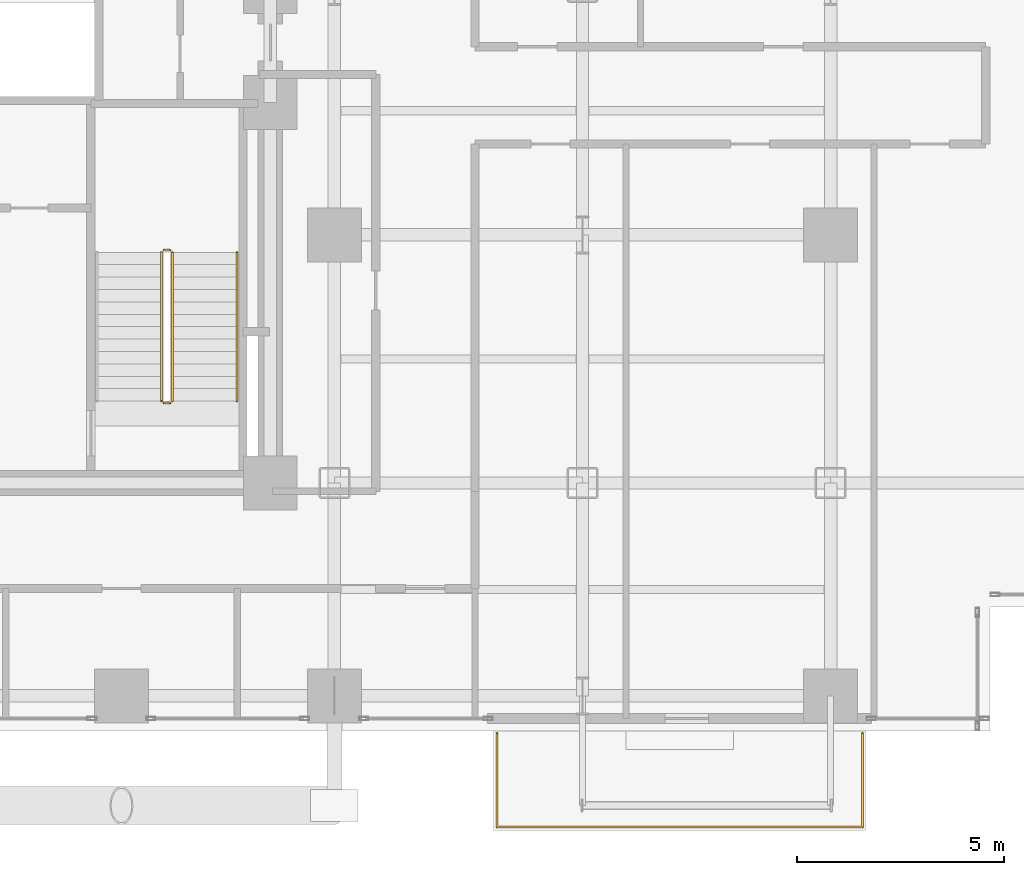
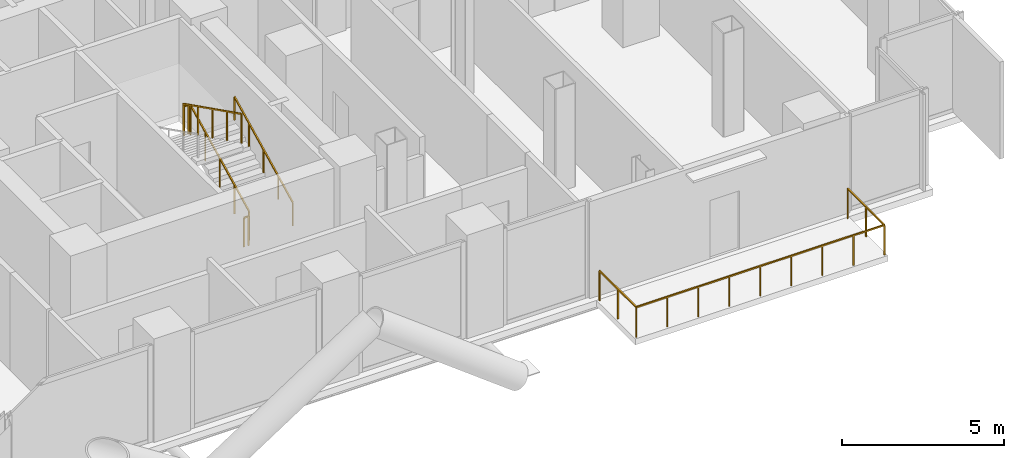
# One storey, part 26 of 27: 6 railings.
"""IFC4 building model written with IfcOpenShell, lengths in metres."""

import ifcopenshell
import ifcopenshell.guid

model = None  # the IFC model being written
_history = None  # IfcOwnerHistory: only IFC2X3 demands one
_inside = {}  # id of a spatial element -> (the spatial element, [elements in it])
_under = {}  # id of a project, library or spatial element -> (it, [spatial elements below it])
_declared = {}  # id of a project -> (the project, [libraries it declares])
_typed = {}  # id of a type object -> (the type object, [elements of that type])
_made_of = {}  # id of a material, layer set ... -> (it, [elements and type objects made of it])


def new_model(schema):
    """Start an empty IFC model of exactly this schema.

    Asked for "IFC4X3", IfcOpenShell would pick the latest addendum, in which some entities
    have other attributes; the version numbers below select the first issue.
    IFC2X3 requires an IfcOwnerHistory on every rooted entity: one is made here for all.
    """
    global model, _history
    if schema == "IFC4X3":
        model = ifcopenshell.file(schema_version=(4, 3, 0, 0))
    else:
        model = ifcopenshell.file(schema=schema)
    _inside.clear()
    _under.clear()
    _declared.clear()
    _typed.clear()
    _made_of.clear()
    _history = None
    if model.schema == "IFC2X3":
        org = make("IfcOrganization", Name="unknown")
        user = make(
            "IfcPersonAndOrganization",
            ThePerson=make("IfcPerson", FamilyName="unknown"),
            TheOrganization=org,
        )
        app = make(
            "IfcApplication",
            ApplicationDeveloper=org,
            Version="unknown",
            ApplicationFullName="unknown",
            ApplicationIdentifier="unknown",
        )
        _history = make(
            "IfcOwnerHistory",
            OwningUser=user,
            OwningApplication=app,
            ChangeAction="ADDED",
            CreationDate=0,
        )
    return model


def make(cls, **values):
    """One entity of the class cls with the attributes given. An attribute that is None is left unset."""
    return model.create_entity(
        cls, **{name: value for name, value in values.items() if value is not None}
    )


def rooted(cls, **values):
    """An entity with a GlobalId (a new one), such as an element, a storey or a relation."""
    return make(cls, GlobalId=ifcopenshell.guid.new(), OwnerHistory=_history, **values)


def si_unit(unit_type, name, prefix=None):
    """IfcSIUnit, for example si_unit("LENGTHUNIT", "METRE", prefix="MILLI")."""
    return make("IfcSIUnit", UnitType=unit_type, Prefix=prefix, Name=name)


def assignment(units):
    """IfcUnitAssignment: the units of a project."""
    return None if units is None else make("IfcUnitAssignment", Units=units)


def point(xyz):
    """IfcCartesianPoint."""
    return None if xyz is None else make("IfcCartesianPoint", Coordinates=xyz)


def direction(xyz):
    """IfcDirection."""
    return None if xyz is None else make("IfcDirection", DirectionRatios=xyz)


def frame(location, z_axis=None, x_axis=None):
    """IfcAxis2Placement3D, a coordinate frame: its origin and axes. An axis left out is left unset."""
    return make(
        "IfcAxis2Placement3D",
        Location=point(location),
        Axis=direction(z_axis),
        RefDirection=direction(x_axis),
    )


def frame_2d(location, x_axis=None):
    """IfcAxis2Placement2D, a coordinate frame in the plane: its origin and x axis."""
    return make(
        "IfcAxis2Placement2D", Location=point(location), RefDirection=direction(x_axis)
    )


def origin():
    """The frame at (0, 0, 0) with its axes left unset."""
    return frame((0.0, 0.0, 0.0))


def origin_2d():
    """The frame at (0, 0) in the plane with its x axis left unset."""
    return frame_2d((0.0, 0.0))


def place(relative_to, where):
    """IfcLocalPlacement: puts the frame where relative to a parent placement (None: the world)."""
    return make(
        "IfcLocalPlacement", PlacementRelTo=relative_to, RelativePlacement=where
    )


def context(
    kind, dimensions, precision=None, world=None, true_north=None, identifier=None
):
    """IfcGeometricRepresentationContext, for example the 3D "Model" context."""
    return make(
        "IfcGeometricRepresentationContext",
        ContextIdentifier=identifier,
        ContextType=kind,
        CoordinateSpaceDimension=dimensions,
        Precision=precision,
        WorldCoordinateSystem=world,
        TrueNorth=true_north,
    )


def subcontext(parent, identifier, kind, view, scale=None):
    """IfcGeometricRepresentationSubContext, for example "Body" below "Model"."""
    return make(
        "IfcGeometricRepresentationSubContext",
        ContextIdentifier=identifier,
        ContextType=kind,
        ParentContext=parent,
        TargetScale=scale,
        TargetView=view,
    )


def project(units=None, contexts=None):
    """IfcProject with its units and contexts."""
    return rooted(
        "IfcProject",
        Name="project",
        RepresentationContexts=contexts,
        UnitsInContext=assignment(units),
    )


def spatial(cls, under=None, at=None, **own):
    """A site, building, storey or space (cls), placed at a placement, below another one or the project."""
    s = rooted(cls, ObjectPlacement=at, **own)
    if under is not None:
        _under.setdefault(under.id(), (under, []))[1].append(s)
    return s


def profile(cls, at=None, kind="AREA", **sizes):
    """A parametric profile (cls). Its sizes go by their IFC names, for example OverallWidth=200.0."""
    return make(cls, ProfileType=kind, Position=at, **sizes)


def rectangle(**sizes):
    """IfcRectangleProfileDef."""
    return profile("IfcRectangleProfileDef", **sizes)


def extrude(swept, where, along, depth):
    """IfcExtrudedAreaSolid: the profile swept, set in the frame where, extruded along a direction by depth."""
    return make(
        "IfcExtrudedAreaSolid",
        SweptArea=swept,
        Position=where,
        ExtrudedDirection=direction(along),
        Depth=depth,
    )


def shape(context_of_items, identifier, shape_type, items):
    """IfcShapeRepresentation: the items that make up one representation, for example the "Body"."""
    return make(
        "IfcShapeRepresentation",
        ContextOfItems=context_of_items,
        RepresentationIdentifier=identifier,
        RepresentationType=shape_type,
        Items=items,
    )


def material(Name=None, Category=None):
    """IfcMaterial."""
    return make("IfcMaterial", Name=Name, Category=Category)


def made_of(thing, what):
    """Note that an element or type object is made of a material, layer set ...; save() writes the relation."""
    if what is not None:
        _made_of.setdefault(what.id(), (what, []))[1].append(thing)
    return thing


def type_object(cls, material=None, **own):
    """A type object (cls), such as IfcWallType, which elements share."""
    return made_of(rooted(cls, **own), material)


def element(
    cls,
    number,
    at=None,
    inside=None,
    cuts=None,
    type_object=None,
    material=None,
    context=None,
    identifier="Body",
    shape_type=None,
    held_by="IfcProductDefinitionShape",
    body=None,
    shapes=None,
    **own,
):
    """One element of the class cls, such as IfcWall. Its Tag is "e" and its number.

    at: its placement. inside: the storey or other place that contains it. cuts: it is an
    opening in that element (IfcRelVoidsElement). A single representation is given by context,
    identifier, shape_type and body (its items); several are given by shapes. held_by: the class
    of the entity that holds the representations. save() writes the other relations.
    """
    e = rooted(cls, Tag="e%d" % number, ObjectPlacement=at, **own)
    if body is not None:
        shapes = [shape(context, identifier, shape_type, body)]
    if shapes is not None:
        e.Representation = make(held_by, Representations=shapes)
    if inside is not None:
        _inside.setdefault(inside.id(), (inside, []))[1].append(e)
    if cuts is not None:
        rooted(
            "IfcRelVoidsElement", RelatingBuildingElement=cuts, RelatedOpeningElement=e
        )
    if type_object is not None:
        _typed.setdefault(type_object.id(), (type_object, []))[1].append(e)
    return made_of(e, material)


def aggregate(whole, parts):
    """IfcRelAggregates: a whole, such as a stair, and the parts it consists of."""
    return rooted("IfcRelAggregates", RelatingObject=whole, RelatedObjects=parts)


def save(model, path):
    """Write the relations noted so far, then the file.

    IfcRelAggregates (storeys below a building ...), IfcRelContainedInSpatialStructure (elements
    in a storey), IfcRelDefinesByType, IfcRelAssociatesMaterial and IfcRelDeclares: one each for
    every whole, place, type object, material and project.
    """
    for whole, parts in _under.values():
        aggregate(whole, parts)
    for where, things in _inside.values():
        rooted(
            "IfcRelContainedInSpatialStructure",
            RelatedElements=things,
            RelatingStructure=where,
        )
    for kind, things in _typed.values():
        rooted("IfcRelDefinesByType", RelatedObjects=things, RelatingType=kind)
    for what, things in _made_of.values():
        rooted("IfcRelAssociatesMaterial", RelatedObjects=things, RelatingMaterial=what)
    for by, libraries in _declared.values():
        rooted("IfcRelDeclares", RelatingContext=by, RelatedDefinitions=libraries)
    model.write(path)


model = new_model("IFC4")

# Units and contexts
model_context = context("Model", 3, precision=1e-05, world=origin(), true_north=direction((0.0, 1.0)))
body_context = subcontext(model_context, "Body", "Model", "MODEL_VIEW")
ifc_project = project(units=[si_unit("LENGTHUNIT", "METRE"), si_unit("AREAUNIT", "SQUARE_METRE"), si_unit("VOLUMEUNIT", "CUBIC_METRE"), si_unit("PLANEANGLEUNIT", "RADIAN"), si_unit("MASSUNIT", "GRAM", prefix="KILO"), si_unit("THERMODYNAMICTEMPERATUREUNIT", "KELVIN"), si_unit("POWERUNIT", "WATT")], contexts=[model_context])

# Site, building, storey
site_placement = place(None, origin())
site = spatial("IfcSite", under=ifc_project, at=site_placement, CompositionType="ELEMENT")
building_placement = place(site_placement, origin())
building = spatial("IfcBuilding", under=site, at=building_placement, Name="Svarakhadi Broadcast Tower", CompositionType="ELEMENT")
storey_placement = place(building_placement, frame((0.0, 0.0, 59.699951171875)))
storey = spatial("IfcBuildingStorey", under=building, at=storey_placement, Name="L13", CompositionType="ELEMENT", Elevation=59.699951171875)

# Railings
ifc_material_1 = material(Name="Laminated Structural SentryGlas Balustrade 25.5 mm", Category="glass")
railing_type_1 = type_object("IfcRailingType", Name="Guard_Balcony_GR01", PredefinedType="BALUSTRADE", material=ifc_material_1)
railing_1_placement = place(storey_placement, frame((39.080078125, -0.06005859375, 0.0)))
element("IfcRailing", 1, at=railing_1_placement, inside=storey, type_object=railing_type_1, Name="L13 South Tree Balcony Guard GR-05", PredefinedType="BALUSTRADE", context=body_context, shape_type="SweptSolid", body=[
    extrude(rectangle(XDim=0.048095703125, YDim=0.048095703125, at=origin_2d()), frame((0.0, 0.0, 1.1259765625), z_axis=(0.0, -1.0, 0.0), x_axis=(1.0, 0.0, 0.0)), (0.0, 0.0, 1.0), 2.260009765625),
    extrude(rectangle(XDim=0.048095703125, YDim=0.048095703125, at=origin_2d()), frame((0.0, -2.260009765625, 1.1259765625), z_axis=(1.0, 0.0, 0.0), x_axis=(0.0, 1.0, 0.0)), (0.0, 0.0, 1.0), 8.83984375),
    extrude(rectangle(XDim=0.048095703125, YDim=0.048095703125, at=origin_2d()), frame((8.83984375, -2.260009765625, 1.1259765625), z_axis=(0.0, 1.0, 0.0), x_axis=(-1.0, 0.0, 0.0)), (0.0, 0.0, 1.0), 2.260009765625),
    extrude(rectangle(XDim=0.0419921875, YDim=0.0419921875, at=origin_2d()), origin(), (0.0, 0.0, 1.0), 1.101806640625),
    extrude(rectangle(XDim=0.0419921875, YDim=0.0419921875, at=origin_2d()), frame((0.0, -1.1298828125, 0.0)), (0.0, 0.0, 1.0), 1.101806640625),
    extrude(rectangle(XDim=0.0419921875, YDim=0.0419921875, at=origin_2d()), frame((0.0, -2.260009765625, 0.0)), (0.0, 0.0, 1.0), 1.101806640625),
    extrude(rectangle(XDim=0.0419921875, YDim=0.0419921875, at=origin_2d()), frame((1.10498046875, -2.260009765625, 0.0)), (0.0, 0.0, 1.0), 1.101806640625),
    extrude(rectangle(XDim=0.0419921875, YDim=0.0419921875, at=origin_2d()), frame((2.2099609375, -2.260009765625, 0.0)), (0.0, 0.0, 1.0), 1.101806640625),
    extrude(rectangle(XDim=0.0419921875, YDim=0.0419921875, at=origin_2d()), frame((3.31494140625, -2.260009765625, 0.0)), (0.0, 0.0, 1.0), 1.101806640625),
    extrude(rectangle(XDim=0.0419921875, YDim=0.0419921875, at=origin_2d()), frame((4.419921875, -2.260009765625, 0.0)), (0.0, 0.0, 1.0), 1.101806640625),
    extrude(rectangle(XDim=0.0419921875, YDim=0.0419921875, at=origin_2d()), frame((5.52490234375, -2.260009765625, 0.0)), (0.0, 0.0, 1.0), 1.101806640625),
    extrude(rectangle(XDim=0.0419921875, YDim=0.0419921875, at=origin_2d()), frame((6.6298828125, -2.260009765625, 0.0)), (0.0, 0.0, 1.0), 1.101806640625),
    extrude(rectangle(XDim=0.0419921875, YDim=0.0419921875, at=origin_2d()), frame((7.73486328125, -2.260009765625, 0.0)), (0.0, 0.0, 1.0), 1.101806640625),
    extrude(rectangle(XDim=0.0419921875, YDim=0.0419921875, at=origin_2d()), frame((8.83984375, -2.260009765625, 0.0)), (0.0, 0.0, 1.0), 1.101806640625),
    extrude(rectangle(XDim=0.0419921875, YDim=0.0419921875, at=origin_2d()), frame((8.83984375, -1.1298828125, 0.0)), (0.0, 0.0, 1.0), 1.101806640625),
    extrude(rectangle(XDim=0.0419921875, YDim=0.0419921875, at=origin_2d()), frame((8.83984375, 0.0, 0.0)), (0.0, 0.0, 1.0), 1.101806640625),
])
ifc_material_2 = material(Name="Anodised Bronze Aluminium AA 6063-T6", Category="aluminium")
railing_type_2 = type_object("IfcRailingType", Name="Guard_Stair_GR01", PredefinedType="GUARDRAIL", material=ifc_material_2)
railing_2_placement = place(storey_placement, frame((31.22998046875, 7.97998046875, 0.150146484375)))
element("IfcRailing", 2, at=railing_2_placement, inside=storey, type_object=railing_type_2, Name="L13 ST-02 stair guard 1", PredefinedType="GUARDRAIL", context=body_context, shape_type="SweptSolid", body=[
    extrude(rectangle(XDim=0.048095703125, YDim=0.048095703125, at=origin_2d()), frame((0.0, 0.0, 1.09619140625), z_axis=(0.0, 0.894451452574, 0.447165069061), x_axis=(-1.0, 0.0, 0.0)), (0.0, 0.0, 1.0), 4.02490234375),
    extrude(rectangle(XDim=0.0419921875, YDim=0.0419921875, at=origin_2d()), origin(), (0.0, 0.0, 1.0), 1.072021484375),
    extrude(rectangle(XDim=0.0419921875, YDim=0.0419921875, at=origin_2d()), frame((0.0, 0.89990234375, 0.449951171875)), (0.0, 0.0, 1.0), 1.072021484375),
    extrude(rectangle(XDim=0.0419921875, YDim=0.0419921875, at=origin_2d()), frame((0.0, 1.800048828125, 0.89990234375)), (0.0, 0.0, 1.0), 1.072021484375),
    extrude(rectangle(XDim=0.0419921875, YDim=0.0419921875, at=origin_2d()), frame((0.0, 2.7001953125, 1.349853515625)), (0.0, 0.0, 1.0), 1.072021484375),
    extrude(rectangle(XDim=0.0419921875, YDim=0.0419921875, at=origin_2d()), frame((0.0, 3.60009765625, 1.7998046875)), (0.0, 0.0, 1.0), 1.072021484375),
])
railing_3_placement = place(storey_placement, frame((31.179931640625, 11.6298828125, 1.949951171875)))
element("IfcRailing", 3, at=railing_3_placement, inside=storey, type_object=railing_type_2, Name="L13 ST-02 stair guard 2", PredefinedType="GUARDRAIL", context=body_context, shape_type="SweptSolid", body=[
    extrude(rectangle(XDim=0.048095703125, YDim=0.048095703125, at=origin_2d()), frame((0.0, 0.0, 1.09619140625), z_axis=(-1.0, 0.0, 0.0), x_axis=(0.0, -1.0, 0.0)), (0.0, 0.0, 1.0), 0.159912109375),
    extrude(rectangle(XDim=0.0419921875, YDim=0.0419921875, at=origin_2d()), origin(), (0.0, 0.0, 1.0), 1.072021484375),
    extrude(rectangle(XDim=0.0419921875, YDim=0.0419921875, at=origin_2d()), frame((-0.159912109375, 0.0, 0.0)), (0.0, 0.0, 1.0), 1.072021484375),
])
railing_4_placement = place(storey_placement, frame((30.969970703125, 11.580078125, 2.10009765625)))
element("IfcRailing", 4, at=railing_4_placement, inside=storey, type_object=railing_type_2, Name="L13 ST-02 stair guard 3", PredefinedType="GUARDRAIL", context=body_context, shape_type="SweptSolid", body=[
    extrude(rectangle(XDim=0.048095703125, YDim=0.048095703125, at=origin_2d()), frame((0.0, 0.0, 1.09619140625), z_axis=(0.0, -0.894427191, 0.4472135955), x_axis=(1.0, 0.0, 0.0)), (0.0, 0.0, 1.0), 4.025146484375),
    extrude(rectangle(XDim=0.0419921875, YDim=0.0419921875, at=origin_2d()), origin(), (0.0, 0.0, 1.0), 1.072021484375),
    extrude(rectangle(XDim=0.0419921875, YDim=0.0419921875, at=origin_2d()), frame((0.0, -0.89990234375, 0.449951171875)), (0.0, 0.0, 1.0), 1.072021484375),
    extrude(rectangle(XDim=0.0419921875, YDim=0.0419921875, at=origin_2d()), frame((0.0, -1.800048828125, 0.89990234375)), (0.0, 0.0, 1.0), 1.072021484375),
    extrude(rectangle(XDim=0.0419921875, YDim=0.0419921875, at=origin_2d()), frame((0.0, -2.7001953125, 1.35009765625)), (0.0, 0.0, 1.0), 1.072021484375),
    extrude(rectangle(XDim=0.0419921875, YDim=0.0419921875, at=origin_2d()), frame((0.0, -3.60009765625, 1.800048828125)), (0.0, 0.0, 1.0), 1.072021484375),
])
railing_5_placement = place(storey_placement, frame((31.179931640625, 7.929931640625, 0.0)))
element("IfcRailing", 5, at=railing_5_placement, inside=storey, type_object=railing_type_2, Name="L13 ST-02 stair guard 4", PredefinedType="GUARDRAIL", context=body_context, shape_type="SweptSolid", body=[
    extrude(rectangle(XDim=0.048095703125, YDim=0.048095703125, at=origin_2d()), frame((0.0, 0.0, 1.09619140625), z_axis=(-1.0, 0.0, 0.0), x_axis=(0.0, -1.0, 0.0)), (0.0, 0.0, 1.0), 0.159912109375),
    extrude(rectangle(XDim=0.0419921875, YDim=0.0419921875, at=origin_2d()), origin(), (0.0, 0.0, 1.0), 1.072021484375),
    extrude(rectangle(XDim=0.0419921875, YDim=0.0419921875, at=origin_2d()), frame((-0.159912109375, 0.0, 0.0)), (0.0, 0.0, 1.0), 1.072021484375),
])
railing_type_3 = type_object("IfcRailingType", Name="Handrail_Stair_HR01", PredefinedType="HANDRAIL", material=ifc_material_2)
railing_6_placement = place(storey_placement, frame((32.7900390625, 7.97998046875, 0.150146484375)))
element("IfcRailing", 6, at=railing_6_placement, inside=storey, type_object=railing_type_3, Name="L13 ST-02 stair handrail 1", PredefinedType="HANDRAIL", context=body_context, shape_type="SweptSolid", body=[
    extrude(rectangle(XDim=0.048095703125, YDim=0.048095703125, at=origin_2d()), frame((0.0, 0.0, 0.8759765625), z_axis=(0.0, 0.894451452574, 0.447165069061), x_axis=(-1.0, 0.0, 0.0)), (0.0, 0.0, 1.0), 4.02490234375),
    extrude(rectangle(XDim=0.0419921875, YDim=0.0419921875, at=origin_2d()), origin(), (0.0, 0.0, 1.0), 0.851806640625),
    extrude(rectangle(XDim=0.0419921875, YDim=0.0419921875, at=origin_2d()), frame((0.0, 0.89990234375, 0.449951171875)), (0.0, 0.0, 1.0), 0.851806640625),
    extrude(rectangle(XDim=0.0419921875, YDim=0.0419921875, at=origin_2d()), frame((0.0, 1.800048828125, 0.89990234375)), (0.0, 0.0, 1.0), 0.851806640625),
    extrude(rectangle(XDim=0.0419921875, YDim=0.0419921875, at=origin_2d()), frame((0.0, 2.7001953125, 1.349853515625)), (0.0, 0.0, 1.0), 0.851806640625),
    extrude(rectangle(XDim=0.0419921875, YDim=0.0419921875, at=origin_2d()), frame((0.0, 3.60009765625, 1.7998046875)), (0.0, 0.0, 1.0), 0.851806640625),
])

save(model, "model.ifc")
